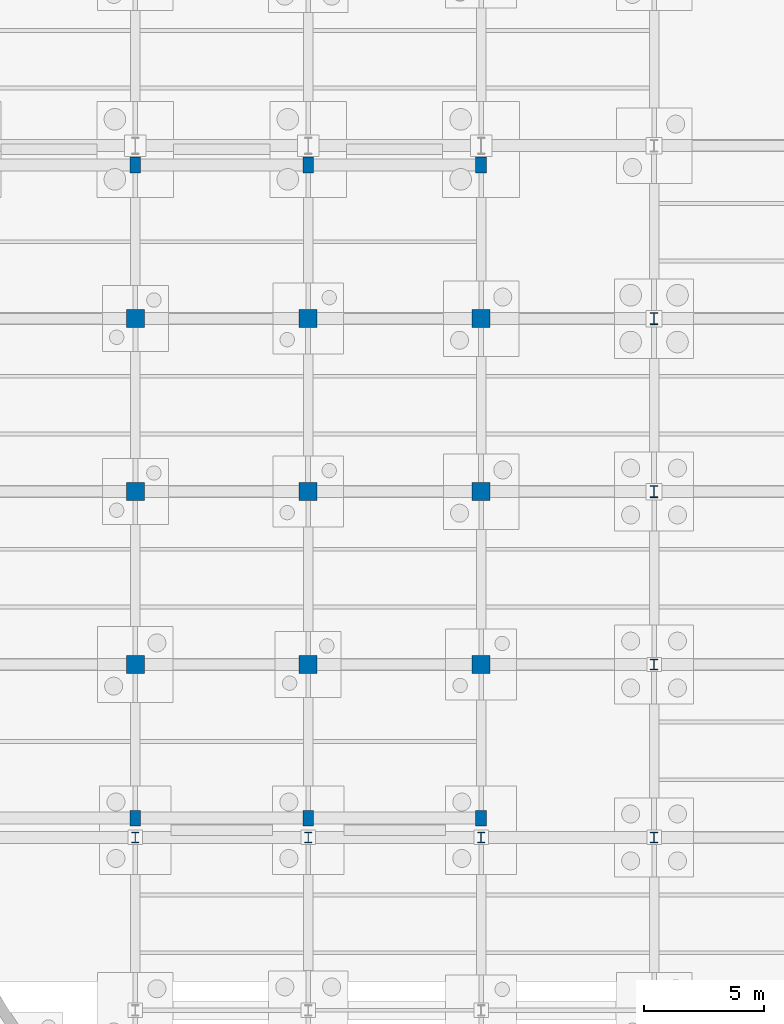
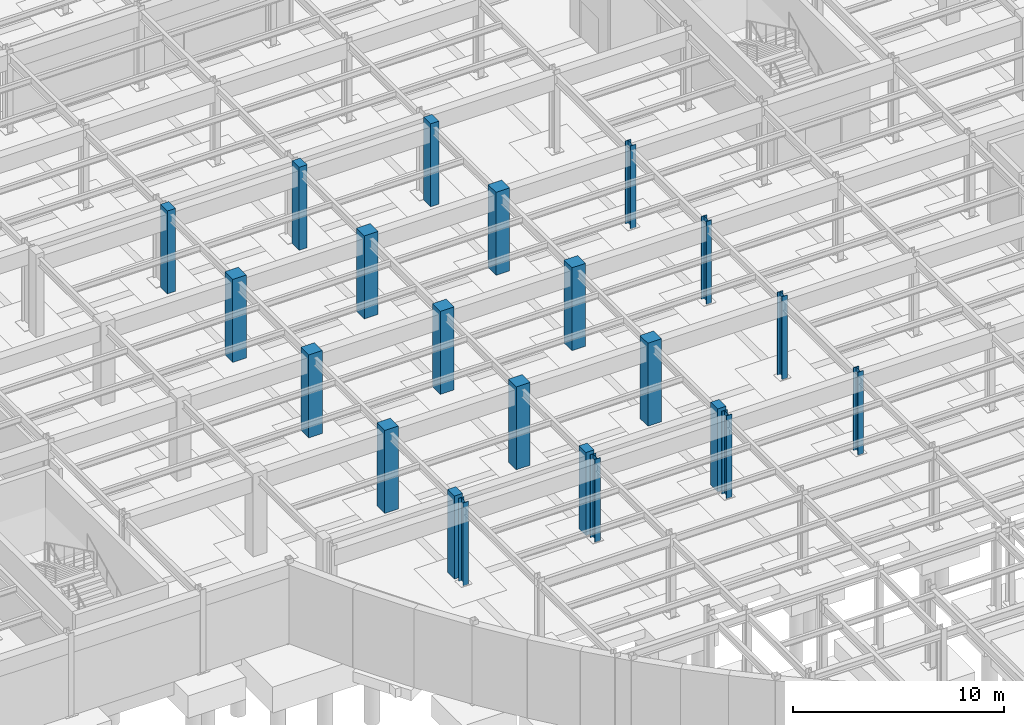
# One storey, part 18 of 64: 22 columns.
"""IFC4 building model written with IfcOpenShell, lengths in metres."""

import ifcopenshell
import ifcopenshell.guid

model = None  # the IFC model being written
_history = None  # IfcOwnerHistory: only IFC2X3 demands one
_inside = {}  # id of a spatial element -> (the spatial element, [elements in it])
_under = {}  # id of a project, library or spatial element -> (it, [spatial elements below it])
_declared = {}  # id of a project -> (the project, [libraries it declares])
_typed = {}  # id of a type object -> (the type object, [elements of that type])
_made_of = {}  # id of a material, layer set ... -> (it, [elements and type objects made of it])


def new_model(schema):
    """Start an empty IFC model of exactly this schema.

    Asked for "IFC4X3", IfcOpenShell would pick the latest addendum, in which some entities
    have other attributes; the version numbers below select the first issue.
    IFC2X3 requires an IfcOwnerHistory on every rooted entity: one is made here for all.
    """
    global model, _history
    if schema == "IFC4X3":
        model = ifcopenshell.file(schema_version=(4, 3, 0, 0))
    else:
        model = ifcopenshell.file(schema=schema)
    _inside.clear()
    _under.clear()
    _declared.clear()
    _typed.clear()
    _made_of.clear()
    _history = None
    if model.schema == "IFC2X3":
        org = make("IfcOrganization", Name="unknown")
        user = make(
            "IfcPersonAndOrganization",
            ThePerson=make("IfcPerson", FamilyName="unknown"),
            TheOrganization=org,
        )
        app = make(
            "IfcApplication",
            ApplicationDeveloper=org,
            Version="unknown",
            ApplicationFullName="unknown",
            ApplicationIdentifier="unknown",
        )
        _history = make(
            "IfcOwnerHistory",
            OwningUser=user,
            OwningApplication=app,
            ChangeAction="ADDED",
            CreationDate=0,
        )
    return model


def make(cls, **values):
    """One entity of the class cls with the attributes given. An attribute that is None is left unset."""
    return model.create_entity(
        cls, **{name: value for name, value in values.items() if value is not None}
    )


def rooted(cls, **values):
    """An entity with a GlobalId (a new one), such as an element, a storey or a relation."""
    return make(cls, GlobalId=ifcopenshell.guid.new(), OwnerHistory=_history, **values)


def si_unit(unit_type, name, prefix=None):
    """IfcSIUnit, for example si_unit("LENGTHUNIT", "METRE", prefix="MILLI")."""
    return make("IfcSIUnit", UnitType=unit_type, Prefix=prefix, Name=name)


def assignment(units):
    """IfcUnitAssignment: the units of a project."""
    return None if units is None else make("IfcUnitAssignment", Units=units)


def point(xyz):
    """IfcCartesianPoint."""
    return None if xyz is None else make("IfcCartesianPoint", Coordinates=xyz)


def direction(xyz):
    """IfcDirection."""
    return None if xyz is None else make("IfcDirection", DirectionRatios=xyz)


def frame(location, z_axis=None, x_axis=None):
    """IfcAxis2Placement3D, a coordinate frame: its origin and axes. An axis left out is left unset."""
    return make(
        "IfcAxis2Placement3D",
        Location=point(location),
        Axis=direction(z_axis),
        RefDirection=direction(x_axis),
    )


def frame_2d(location, x_axis=None):
    """IfcAxis2Placement2D, a coordinate frame in the plane: its origin and x axis."""
    return make(
        "IfcAxis2Placement2D", Location=point(location), RefDirection=direction(x_axis)
    )


def origin():
    """The frame at (0, 0, 0) with its axes left unset."""
    return frame((0.0, 0.0, 0.0))


def origin_2d():
    """The frame at (0, 0) in the plane with its x axis left unset."""
    return frame_2d((0.0, 0.0))


def place(relative_to, where):
    """IfcLocalPlacement: puts the frame where relative to a parent placement (None: the world)."""
    return make(
        "IfcLocalPlacement", PlacementRelTo=relative_to, RelativePlacement=where
    )


def context(
    kind, dimensions, precision=None, world=None, true_north=None, identifier=None
):
    """IfcGeometricRepresentationContext, for example the 3D "Model" context."""
    return make(
        "IfcGeometricRepresentationContext",
        ContextIdentifier=identifier,
        ContextType=kind,
        CoordinateSpaceDimension=dimensions,
        Precision=precision,
        WorldCoordinateSystem=world,
        TrueNorth=true_north,
    )


def subcontext(parent, identifier, kind, view, scale=None):
    """IfcGeometricRepresentationSubContext, for example "Body" below "Model"."""
    return make(
        "IfcGeometricRepresentationSubContext",
        ContextIdentifier=identifier,
        ContextType=kind,
        ParentContext=parent,
        TargetScale=scale,
        TargetView=view,
    )


def project(units=None, contexts=None):
    """IfcProject with its units and contexts."""
    return rooted(
        "IfcProject",
        Name="project",
        RepresentationContexts=contexts,
        UnitsInContext=assignment(units),
    )


def spatial(cls, under=None, at=None, **own):
    """A site, building, storey or space (cls), placed at a placement, below another one or the project."""
    s = rooted(cls, ObjectPlacement=at, **own)
    if under is not None:
        _under.setdefault(under.id(), (under, []))[1].append(s)
    return s


def profile(cls, at=None, kind="AREA", **sizes):
    """A parametric profile (cls). Its sizes go by their IFC names, for example OverallWidth=200.0."""
    return make(cls, ProfileType=kind, Position=at, **sizes)


def rectangle(**sizes):
    """IfcRectangleProfileDef."""
    return profile("IfcRectangleProfileDef", **sizes)


def i_section(**sizes):
    """IfcIShapeProfileDef."""
    return profile("IfcIShapeProfileDef", **sizes)


def extrude(swept, where, along, depth):
    """IfcExtrudedAreaSolid: the profile swept, set in the frame where, extruded along a direction by depth."""
    return make(
        "IfcExtrudedAreaSolid",
        SweptArea=swept,
        Position=where,
        ExtrudedDirection=direction(along),
        Depth=depth,
    )


def shape(context_of_items, identifier, shape_type, items):
    """IfcShapeRepresentation: the items that make up one representation, for example the "Body"."""
    return make(
        "IfcShapeRepresentation",
        ContextOfItems=context_of_items,
        RepresentationIdentifier=identifier,
        RepresentationType=shape_type,
        Items=items,
    )


def material(Name=None, Category=None):
    """IfcMaterial."""
    return make("IfcMaterial", Name=Name, Category=Category)


def material_profile(
    of_material, cross_section, Name=None, Category=None, Priority=None
):
    """IfcMaterialProfile: a cross section and its material."""
    return make(
        "IfcMaterialProfile",
        Name=Name,
        Material=of_material,
        Profile=cross_section,
        Priority=Priority,
        Category=Category,
    )


def profile_set(profiles, Name=None, composite=None):
    """IfcMaterialProfileSet."""
    return make(
        "IfcMaterialProfileSet",
        Name=Name,
        MaterialProfiles=profiles,
        CompositeProfile=composite,
    )


def made_of(thing, what):
    """Note that an element or type object is made of a material, layer set ...; save() writes the relation."""
    if what is not None:
        _made_of.setdefault(what.id(), (what, []))[1].append(thing)
    return thing


def type_object(cls, material=None, **own):
    """A type object (cls), such as IfcWallType, which elements share."""
    return made_of(rooted(cls, **own), material)


def element(
    cls,
    number,
    at=None,
    inside=None,
    cuts=None,
    type_object=None,
    material=None,
    context=None,
    identifier="Body",
    shape_type=None,
    held_by="IfcProductDefinitionShape",
    body=None,
    shapes=None,
    **own,
):
    """One element of the class cls, such as IfcWall. Its Tag is "e" and its number.

    at: its placement. inside: the storey or other place that contains it. cuts: it is an
    opening in that element (IfcRelVoidsElement). A single representation is given by context,
    identifier, shape_type and body (its items); several are given by shapes. held_by: the class
    of the entity that holds the representations. save() writes the other relations.
    """
    e = rooted(cls, Tag="e%d" % number, ObjectPlacement=at, **own)
    if body is not None:
        shapes = [shape(context, identifier, shape_type, body)]
    if shapes is not None:
        e.Representation = make(held_by, Representations=shapes)
    if inside is not None:
        _inside.setdefault(inside.id(), (inside, []))[1].append(e)
    if cuts is not None:
        rooted(
            "IfcRelVoidsElement", RelatingBuildingElement=cuts, RelatedOpeningElement=e
        )
    if type_object is not None:
        _typed.setdefault(type_object.id(), (type_object, []))[1].append(e)
    return made_of(e, material)


def aggregate(whole, parts):
    """IfcRelAggregates: a whole, such as a stair, and the parts it consists of."""
    return rooted("IfcRelAggregates", RelatingObject=whole, RelatedObjects=parts)


def save(model, path):
    """Write the relations noted so far, then the file.

    IfcRelAggregates (storeys below a building ...), IfcRelContainedInSpatialStructure (elements
    in a storey), IfcRelDefinesByType, IfcRelAssociatesMaterial and IfcRelDeclares: one each for
    every whole, place, type object, material and project.
    """
    for whole, parts in _under.values():
        aggregate(whole, parts)
    for where, things in _inside.values():
        rooted(
            "IfcRelContainedInSpatialStructure",
            RelatedElements=things,
            RelatingStructure=where,
        )
    for kind, things in _typed.values():
        rooted("IfcRelDefinesByType", RelatedObjects=things, RelatingType=kind)
    for what, things in _made_of.values():
        rooted("IfcRelAssociatesMaterial", RelatedObjects=things, RelatingMaterial=what)
    for by, libraries in _declared.values():
        rooted("IfcRelDeclares", RelatingContext=by, RelatedDefinitions=libraries)
    model.write(path)


model = new_model("IFC4")

# Units and contexts
model_context = context("Model", 3, precision=1e-05, world=origin(), true_north=direction((0.0, 1.0)))
body_context = subcontext(model_context, "Body", "Model", "MODEL_VIEW")
ifc_project = project(units=[si_unit("LENGTHUNIT", "METRE"), si_unit("AREAUNIT", "SQUARE_METRE"), si_unit("VOLUMEUNIT", "CUBIC_METRE"), si_unit("PLANEANGLEUNIT", "RADIAN"), si_unit("MASSUNIT", "GRAM", prefix="KILO")], contexts=[model_context])

# Site, building, storey
site_placement = place(None, origin())
site = spatial("IfcSite", under=ifc_project, at=site_placement, CompositionType="ELEMENT")
building_placement = place(site_placement, origin())
building = spatial("IfcBuilding", under=site, at=building_placement, Name="Solvadek Multi-Sports Hall", CompositionType="ELEMENT")
storey_placement = place(building_placement, frame((0.0, 0.0, -4.800048828125)))
storey = spatial("IfcBuildingStorey", under=building, at=storey_placement, Name="B1", CompositionType="ELEMENT", Elevation=-4.800048828125)

# Columns
ifc_material_1 = material(Name="Concrete M40", Category="concrete")
ifc_material_profile_1 = material_profile(ifc_material_1, rectangle(XDim=0.75, YDim=0.75, at=origin_2d()), Name="RC 750x750")
ifc_profile_set_1 = profile_set([ifc_material_profile_1], Name="Concrete M40")
column_type_1 = type_object("IfcColumnType", Name="STR-COL-RC750", PredefinedType="COLUMN", material=ifc_profile_set_1)
for number, where, z_axis, x_axis, name in (
    (1, (36.0, 27.60009765625, 0.0), (0.0, 0.0, 1.0), (1.0, 0.0, 0.0), "B1 Column C-13 #69"),
    (2, (36.0, 34.800048828125, 0.0), (0.0, 0.0, 1.0), (1.0, 0.0, 0.0), "B1 Column C-13 #70"),
    (3, (36.0, 42.0, 0.0), (0.0, 0.0, 1.0), (1.0, 0.0, 0.0), "B1 Column C-13 #71"),
    (4, (43.199951171875, 27.60009765625, 0.0), (0.0, 0.0, 1.0), (1.0, 0.0, 0.0), "B1 Column C-13 #85"),
    (5, (43.199951171875, 34.800048828125, 0.0), (0.0, 0.0, 1.0), (1.0, 0.0, 0.0), "B1 Column C-13 #86"),
    (6, (43.199951171875, 42.0, 0.0), (0.0, 0.0, 1.0), (1.0, 0.0, 0.0), "B1 Column C-13 #87"),
    (7, (50.39990234375, 27.60009765625, 0.0), (0.0, 0.0, 1.0), (1.0, 0.0, 0.0), "B1 Column C-13 #101"),
    (8, (50.39990234375, 34.800048828125, 0.0), (0.0, 0.0, 1.0), (1.0, 0.0, 0.0), "B1 Column C-13 #102"),
    (9, (50.39990234375, 42.0, 0.0), (0.0, 0.0, 1.0), (1.0, 0.0, 0.0), "B1 Column C-13 #103"),
):
    element("IfcColumn", number, at=place(storey_placement, frame(where, z_axis=z_axis, x_axis=x_axis)), inside=storey, type_object=column_type_1, Name=name, PredefinedType="COLUMN", context=body_context, shape_type="SweptSolid", body=[
        extrude(rectangle(XDim=0.75, YDim=0.75, at=origin_2d()), origin(), (0.0, 0.0, 1.0), 4.800048828125),
    ])
ifc_material_2 = material(Name="Steel E350 (350 MPa)", Category="steel")
ifc_material_profile_2 = material_profile(ifc_material_2, i_section(OverallWidth=0.300048828125, OverallDepth=0.449951171875, WebThickness=0.013916015625, FlangeThickness=0.02587890625, at=origin_2d()), Name="WPB 450")
ifc_profile_set_2 = profile_set([ifc_material_profile_2], Name="Steel E350 (350 MPa)")
column_type_2 = type_object("IfcColumnType", Name="STR-COL-WPB450", PredefinedType="COLUMN", material=ifc_profile_set_2)
for number, where, z_axis, x_axis, name in (
    (10, (36.0, 20.39990234375, 0.0), (0.0, 0.0, 1.0), (1.0, 0.0, 0.0), "B1 Column C-06 #68"),
    (11, (43.199951171875, 20.39990234375, 0.0), (0.0, 0.0, 1.0), (1.0, 0.0, 0.0), "B1 Column C-06 #84"),
    (12, (50.39990234375, 20.39990234375, 0.0), (0.0, 0.0, 1.0), (1.0, 0.0, 0.0), "B1 Column C-06 #100"),
    (13, (57.60009765625, 20.39990234375, 0.0), (0.0, 0.0, 1.0), (1.0, 0.0, 0.0), "B1 Column C-06 #116"),
    (14, (57.60009765625, 27.60009765625, 0.0), (0.0, 0.0, 1.0), (1.0, 0.0, 0.0), "B1 Column C-06 #117"),
):
    element("IfcColumn", number, at=place(storey_placement, frame(where, z_axis=z_axis, x_axis=x_axis)), inside=storey, type_object=column_type_2, Name=name, PredefinedType="COLUMN", context=body_context, shape_type="SweptSolid", body=[
        extrude(i_section(OverallWidth=0.300048828125, OverallDepth=0.449951171875, WebThickness=0.013916015625, FlangeThickness=0.02587890625, at=origin_2d()), origin(), (0.0, 0.0, 1.0), 4.800048828125),
    ])
ifc_material_profile_3 = material_profile(ifc_material_2, i_section(OverallWidth=0.300048828125, OverallDepth=0.5, WebThickness=0.014404296875, FlangeThickness=0.028076171875, at=origin_2d()), Name="WPB 500")
ifc_profile_set_3 = profile_set([ifc_material_profile_3], Name="Steel E350 (350 MPa)")
column_type_3 = type_object("IfcColumnType", Name="STR-COL-WPB500", PredefinedType="COLUMN", material=ifc_profile_set_3)
for number, where, z_axis, x_axis, name in (
    (15, (57.60009765625, 34.800048828125, 0.0), (0.0, 0.0, 1.0), (1.0, 0.0, 0.0), "B1 Column C-05 #118"),
    (16, (57.60009765625, 42.0, 0.0), (0.0, 0.0, 1.0), (1.0, 0.0, 0.0), "B1 Column C-05 #119"),
):
    element("IfcColumn", number, at=place(storey_placement, frame(where, z_axis=z_axis, x_axis=x_axis)), inside=storey, type_object=column_type_3, Name=name, PredefinedType="COLUMN", context=body_context, shape_type="SweptSolid", body=[
        extrude(i_section(OverallWidth=0.300048828125, OverallDepth=0.5, WebThickness=0.014404296875, FlangeThickness=0.028076171875, at=origin_2d()), origin(), (0.0, 0.0, 1.0), 4.800048828125),
    ])
ifc_material_3 = material(Name="Precast concrete M40", Category="concrete")
ifc_material_profile_4 = material_profile(ifc_material_3, rectangle(XDim=0.449951171875, YDim=0.64990234375, at=origin_2d()), Name="RC PILASTER 650x450")
ifc_profile_set_4 = profile_set([ifc_material_profile_4], Name="Precast concrete M40")
column_type_4 = type_object("IfcColumnType", Name="STR-PIL-650X450", PredefinedType="PILASTER", material=ifc_profile_set_4)
for number, where, z_axis, x_axis, name in (
    (17, (36.0, 21.199951171875, 0.0), (0.0, 0.0, 1.0), (1.0, 0.0, 0.0), "B1 Column CP-01 #325"),
    (18, (36.0, 48.39990234375, 0.0), (0.0, 0.0, 1.0), (1.0, 0.0, 0.0), "B1 Column CP-01 #326"),
    (19, (43.199951171875, 21.199951171875, 0.0), (0.0, 0.0, 1.0), (1.0, 0.0, 0.0), "B1 Column CP-01 #327"),
    (20, (43.199951171875, 48.39990234375, 0.0), (0.0, 0.0, 1.0), (1.0, 0.0, 0.0), "B1 Column CP-01 #328"),
    (21, (50.39990234375, 21.199951171875, 0.0), (0.0, 0.0, 1.0), (1.0, 0.0, 0.0), "B1 Column CP-01 #329"),
    (22, (50.39990234375, 48.39990234375, 0.0), (0.0, 0.0, 1.0), (1.0, 0.0, 0.0), "B1 Column CP-01 #330"),
):
    element("IfcColumn", number, at=place(storey_placement, frame(where, z_axis=z_axis, x_axis=x_axis)), inside=storey, type_object=column_type_4, Name=name, PredefinedType="PILASTER", context=body_context, shape_type="SweptSolid", body=[
        extrude(rectangle(XDim=0.449951171875, YDim=0.64990234375, at=origin_2d()), origin(), (0.0, 0.0, 1.0), 4.800048828125),
    ])

save(model, "model.ifc")
